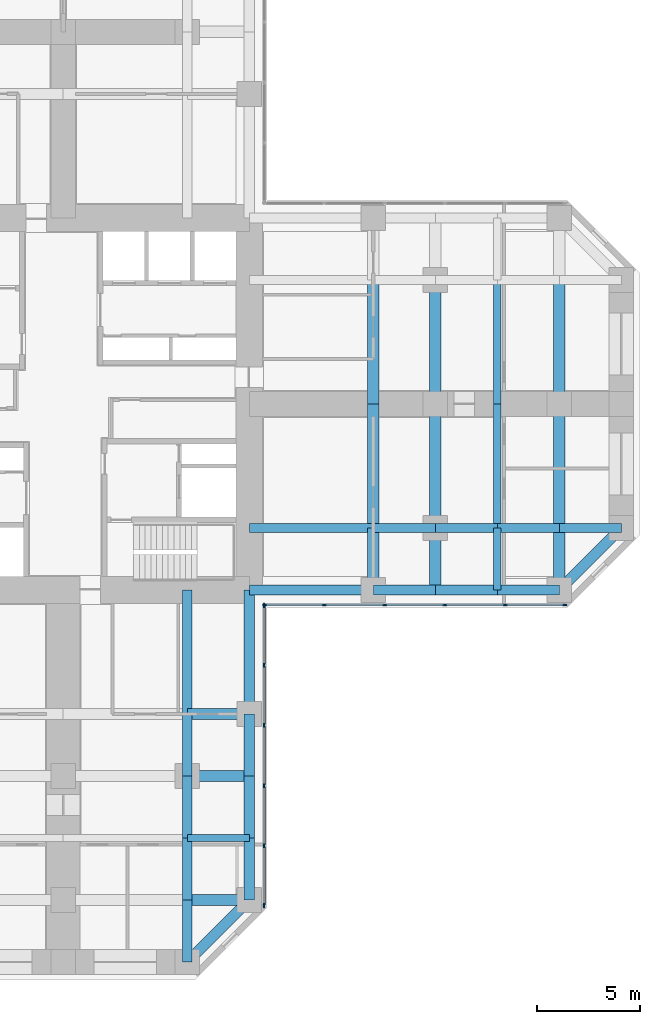
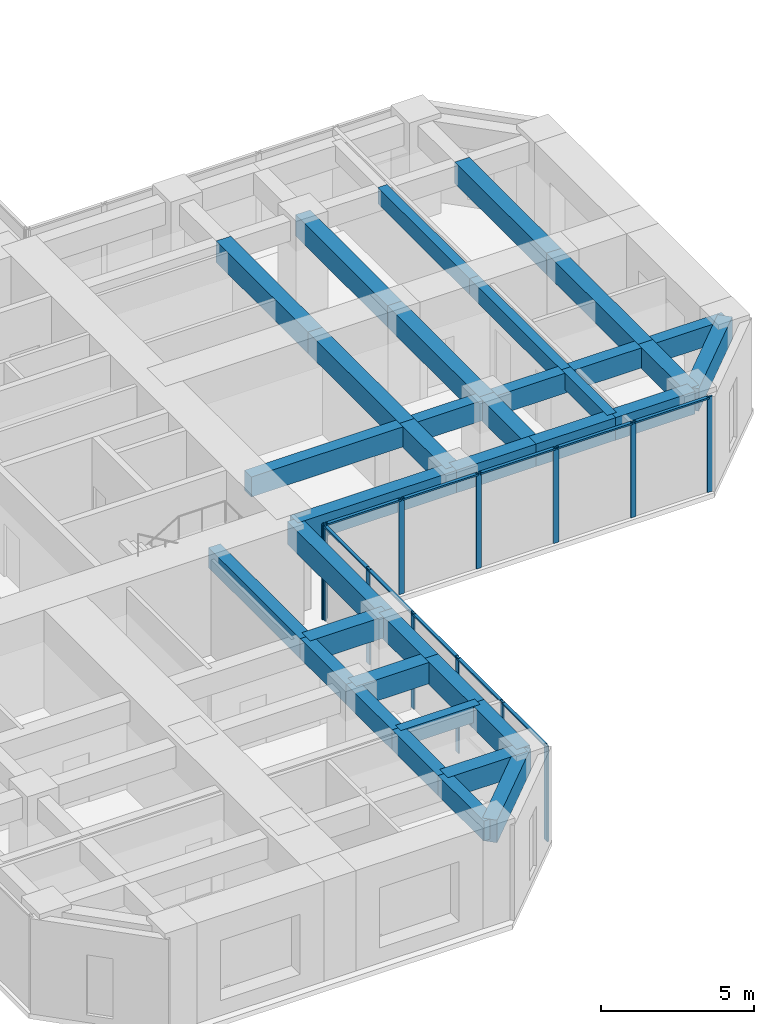
# One storey, part 4 of 13: 36 beams, 22 members, 2 elements without a shape of their own.
"""IFC4 building model written with IfcOpenShell, lengths in metres."""

from ifc_helpers import new_model, si_unit, direction, frame, origin, origin_2d, place, context, subcontext, project, spatial, rectangle, extrude, material, material_profile, profile_set, type_object, element, aggregate, save


model = new_model("IFC4")

# Units and contexts
model_context = context("Model", 3, precision=1e-05, world=origin(), true_north=direction((0.0, 1.0)))
body_context = subcontext(model_context, "Body", "Model", "MODEL_VIEW")
ifc_project = project(units=[si_unit("LENGTHUNIT", "METRE"), si_unit("AREAUNIT", "SQUARE_METRE"), si_unit("VOLUMEUNIT", "CUBIC_METRE"), si_unit("PLANEANGLEUNIT", "RADIAN"), si_unit("MASSUNIT", "GRAM", prefix="KILO")], contexts=[model_context])

# Site, building, storey
site_placement = place(None, origin())
site = spatial("IfcSite", under=ifc_project, at=site_placement, CompositionType="ELEMENT")
building_placement = place(site_placement, origin())
building = spatial("IfcBuilding", under=site, at=building_placement, Name="Torre Cruceta", CompositionType="ELEMENT")
storey_placement = place(building_placement, frame((0.0, 0.0, 47.5)))
storey = spatial("IfcBuildingStorey", under=building, at=storey_placement, Name="L11", CompositionType="ELEMENT", Elevation=47.5)

# Beams
ifc_material_1 = material(Name="Concrete G60 (fck 60 MPa)", Category="concrete")
ifc_material_profile_1 = material_profile(ifc_material_1, rectangle(XDim=0.449951171875, YDim=0.800048828125, at=origin_2d()), Name="RC 450X800")
ifc_profile_set_1 = profile_set([ifc_material_profile_1], Name="Concrete G60 (fck 60 MPa)")
beam_type_1 = type_object("IfcBeamType", Name="COLUMN LINE BEAM RC 450X800", PredefinedType="BEAM", material=ifc_profile_set_1)
beam_1_placement = place(storey_placement, frame((9.0, -6.0, 3.39990234375), z_axis=(1.0, 0.0, 0.0), x_axis=(0.0, 1.0, 0.0)))
element("IfcBeam", 1, at=beam_1_placement, inside=storey, type_object=beam_type_1, Name="LB1 L11 E col- 1", PredefinedType="BEAM", context=body_context, shape_type="SweptSolid", body=[
    extrude(rectangle(XDim=0.449951171875, YDim=0.800048828125, at=origin_2d()), origin(), (0.0, 0.0, 1.0), 6.0),
])
for number, where, z_axis, x_axis, name in (
    (2, (15.0, -6.0, 3.39990234375), (1.0, 0.0, 0.0), (0.0, 1.0, 0.0), "LB1 L11 E col- 2"),
    (3, (18.0, -6.0, 3.39990234375), (1.0, 0.0, 0.0), (0.0, 1.0, 0.0), "LB1 L11 E col- 3"),
    (4, (21.0, -6.0, 3.39990234375), (1.0, 0.0, 0.0), (0.0, 1.0, 0.0), "LB1 L11 E col- 4"),
    (5, (24.0, -6.0, 3.39990234375), (1.0, 0.0, 0.0), (0.0, 1.0, 0.0), "LB1 L11 E col- 5"),
):
    element("IfcBeam", number, at=place(storey_placement, frame(where, z_axis=z_axis, x_axis=x_axis)), inside=storey, type_object=beam_type_1, Name=name, PredefinedType="BEAM", context=body_context, shape_type="SweptSolid", body=[
        extrude(rectangle(XDim=0.449951171875, YDim=0.800048828125, at=origin_2d()), origin(), (0.0, 0.0, 1.0), 3.0),
    ])
beam_2_placement = place(storey_placement, frame((6.0, -9.0, 3.39990234375), z_axis=(0.0, -1.0, 0.0), x_axis=(1.0, 0.0, 0.0)))
element("IfcBeam", 6, at=beam_2_placement, inside=storey, type_object=beam_type_1, Name="LB1 L11 S col+ 1", PredefinedType="BEAM", context=body_context, shape_type="SweptSolid", body=[
    extrude(rectangle(XDim=0.449951171875, YDim=0.800048828125, at=origin_2d()), origin(), (0.0, 0.0, 1.0), 6.0),
])
for number, where, z_axis, x_axis, name in (
    (7, (6.0, -15.0, 3.39990234375), (0.0, -1.0, 0.0), (1.0, 0.0, 0.0), "LB1 L11 S col+ 2"),
    (8, (6.0, -18.0, 3.39990234375), (0.0, -1.0, 0.0), (1.0, 0.0, 0.0), "LB1 L11 S col+ 3"),
    (9, (6.0, -21.0, 3.39990234375), (0.0, -1.0, 0.0), (1.0, 0.0, 0.0), "LB1 L11 S col+ 4"),
    (10, (6.0, -24.0, 3.39990234375), (0.0, -1.0, 0.0), (1.0, 0.0, 0.0), "LB1 L11 S col+ 5"),
):
    element("IfcBeam", number, at=place(storey_placement, frame(where, z_axis=z_axis, x_axis=x_axis)), inside=storey, type_object=beam_type_1, Name=name, PredefinedType="BEAM", context=body_context, shape_type="SweptSolid", body=[
        extrude(rectangle(XDim=0.449951171875, YDim=0.800048828125, at=origin_2d()), origin(), (0.0, 0.0, 1.0), 3.0),
    ])
ifc_material_2 = material(Name="Concrete G60 (fck 60 MPa)", Category="concrete")
ifc_material_profile_2 = material_profile(ifc_material_2, rectangle(XDim=0.550048828125, YDim=0.85009765625, at=origin_2d()), Name="RC 550X850")
ifc_profile_set_2 = profile_set([ifc_material_profile_2], Name="Concrete G60 (fck 60 MPa)")
beam_type_2 = type_object("IfcBeamType", Name="CROSS BEAM RC 550X850", PredefinedType="BEAM", material=ifc_profile_set_2)
beam_3_placement = place(storey_placement, frame((15.0, -9.0, 3.375), z_axis=(0.0, 1.0, 0.0), x_axis=(-1.0, 0.0, 0.0)))
element("IfcBeam", 11, at=beam_3_placement, inside=storey, type_object=beam_type_2, Name="GB4 L11 E cross15 1", PredefinedType="BEAM", context=body_context, shape_type="SweptSolid", body=[
    extrude(rectangle(XDim=0.550048828125, YDim=0.85009765625, at=origin_2d()), origin(), (0.0, 0.0, 1.0), 3.0),
])
for number, where, z_axis, x_axis, name in (
    (12, (15.0, -6.0, 3.375), (0.0, 1.0, 0.0), (-1.0, 0.0, 0.0), "GB4 L11 E cross15 2"),
    (13, (15.0, 0.0, 3.375), (0.0, 1.0, 0.0), (-1.0, 0.0, 0.0), "GB4 L11 E cross15 3"),
):
    element("IfcBeam", number, at=place(storey_placement, frame(where, z_axis=z_axis, x_axis=x_axis)), inside=storey, type_object=beam_type_2, Name=name, PredefinedType="BEAM", context=body_context, shape_type="SweptSolid", body=[
        extrude(rectangle(XDim=0.550048828125, YDim=0.85009765625, at=origin_2d()), origin(), (0.0, 0.0, 1.0), 6.0),
    ])
beam_4_placement = place(storey_placement, frame((18.0, -9.0, 3.375), z_axis=(0.0, 1.0, 0.0), x_axis=(-1.0, 0.0, 0.0)))
element("IfcBeam", 14, at=beam_4_placement, inside=storey, type_object=beam_type_2, Name="GB4 L11 E cross18 1", PredefinedType="BEAM", context=body_context, shape_type="SweptSolid", body=[
    extrude(rectangle(XDim=0.550048828125, YDim=0.85009765625, at=origin_2d()), origin(), (0.0, 0.0, 1.0), 3.0),
])
for number, where, z_axis, x_axis, name in (
    (15, (18.0, -6.0, 3.375), (0.0, 1.0, 0.0), (-1.0, 0.0, 0.0), "GB4 L11 E cross18 2"),
    (16, (18.0, 0.0, 3.375), (0.0, 1.0, 0.0), (-1.0, 0.0, 0.0), "GB4 L11 E cross18 3"),
):
    element("IfcBeam", number, at=place(storey_placement, frame(where, z_axis=z_axis, x_axis=x_axis)), inside=storey, type_object=beam_type_2, Name=name, PredefinedType="BEAM", context=body_context, shape_type="SweptSolid", body=[
        extrude(rectangle(XDim=0.550048828125, YDim=0.85009765625, at=origin_2d()), origin(), (0.0, 0.0, 1.0), 6.0),
    ])
beam_5_placement = place(storey_placement, frame((24.0, -9.0, 3.375), z_axis=(0.0, 1.0, 0.0), x_axis=(-1.0, 0.0, 0.0)))
element("IfcBeam", 17, at=beam_5_placement, inside=storey, type_object=beam_type_2, Name="GB4 L11 E cross24 1", PredefinedType="BEAM", context=body_context, shape_type="SweptSolid", body=[
    extrude(rectangle(XDim=0.550048828125, YDim=0.85009765625, at=origin_2d()), origin(), (0.0, 0.0, 1.0), 3.0),
])
for number, where, z_axis, x_axis, name in (
    (18, (24.0, -6.0, 3.375), (0.0, 1.0, 0.0), (-1.0, 0.0, 0.0), "GB4 L11 E cross24 2"),
    (19, (24.0, 0.0, 3.375), (0.0, 1.0, 0.0), (-1.0, 0.0, 0.0), "GB4 L11 E cross24 3"),
):
    element("IfcBeam", number, at=place(storey_placement, frame(where, z_axis=z_axis, x_axis=x_axis)), inside=storey, type_object=beam_type_2, Name=name, PredefinedType="BEAM", context=body_context, shape_type="SweptSolid", body=[
        extrude(rectangle(XDim=0.550048828125, YDim=0.85009765625, at=origin_2d()), origin(), (0.0, 0.0, 1.0), 6.0),
    ])
for number, where, z_axis, x_axis, name in (
    (20, (6.0, -15.0, 3.375), (1.0, 0.0, 0.0), (0.0, 1.0, 0.0), "GB4 L11 S cross15 4"),
    (21, (6.0, -18.0, 3.375), (1.0, 0.0, 0.0), (0.0, 1.0, 0.0), "GB4 L11 S cross18 4"),
    (22, (6.0, -24.0, 3.375), (1.0, 0.0, 0.0), (0.0, 1.0, 0.0), "GB4 L11 S cross24 4"),
):
    element("IfcBeam", number, at=place(storey_placement, frame(where, z_axis=z_axis, x_axis=x_axis)), inside=storey, type_object=beam_type_2, Name=name, PredefinedType="BEAM", context=body_context, shape_type="SweptSolid", body=[
        extrude(rectangle(XDim=0.550048828125, YDim=0.85009765625, at=origin_2d()), origin(), (0.0, 0.0, 1.0), 3.0),
    ])

# Curtain wall, members
ifc_material_3 = material(Name="Aluminium unitised curtain wall", Category="aluminium")
curtain_wall_type = type_object("IfcCurtainWallType", Name="CURTAIN WALL CW-A OFFICE LOW RISE", PredefinedType="USERDEFINED", material=ifc_material_3)
curtain_wall_1_placement = place(storey_placement, origin())
curtain_wall_1 = element("IfcCurtainWall", 23, at=curtain_wall_1_placement, inside=storey, type_object=curtain_wall_type, Name="CW-A L11 E side 00", ObjectType="UNITISED", PredefinedType="USERDEFINED")
ifc_material_4 = material(Name="Aluminium mullion", Category="aluminium")
ifc_material_profile_3 = material_profile(ifc_material_4, rectangle(XDim=0.06494140625, YDim=0.199951171875, at=origin_2d()), Name="AL 65X200")
ifc_profile_set_3 = profile_set([ifc_material_profile_3], Name="Aluminium mullion")
member_type_1 = type_object("IfcMemberType", Name="CW-A MULLION 65X200", PredefinedType="MULLION", material=ifc_profile_set_3)
member_1_placement = place(storey_placement, frame((9.75244140625, -9.719970703125, 0.0), z_axis=(0.0, 0.0, 1.0), x_axis=(0.0, 1.0, 0.0)))
member_1 = element("IfcMember", 24, at=member_1_placement, type_object=member_type_1, Name="CW-A mullion 1", PredefinedType="MULLION", context=body_context, shape_type="SweptSolid", body=[
    extrude(rectangle(XDim=0.06494140625, YDim=0.199951171875, at=origin_2d()), origin(), (0.0, 0.0, 1.0), 3.800048828125),
])
member_2_placement = place(storey_placement, frame((12.6357421875, -9.719970703125, 0.0), z_axis=(0.0, 0.0, 1.0), x_axis=(0.0, 1.0, 0.0)))
member_2 = element("IfcMember", 25, at=member_2_placement, type_object=member_type_1, Name="CW-A mullion 2", PredefinedType="MULLION", context=body_context, shape_type="SweptSolid", body=[
    extrude(rectangle(XDim=0.06494140625, YDim=0.199951171875, at=origin_2d()), origin(), (0.0, 0.0, 1.0), 3.800048828125),
])
member_3_placement = place(storey_placement, frame((15.55126953125, -9.719970703125, 0.0), z_axis=(0.0, 0.0, 1.0), x_axis=(0.0, 1.0, 0.0)))
member_3 = element("IfcMember", 26, at=member_3_placement, type_object=member_type_1, Name="CW-A mullion 3", PredefinedType="MULLION", context=body_context, shape_type="SweptSolid", body=[
    extrude(rectangle(XDim=0.06494140625, YDim=0.199951171875, at=origin_2d()), origin(), (0.0, 0.0, 1.0), 3.800048828125),
])
member_4_placement = place(storey_placement, frame((18.467041015625, -9.719970703125, 0.0), z_axis=(0.0, 0.0, 1.0), x_axis=(0.0, 1.0, 0.0)))
member_4 = element("IfcMember", 27, at=member_4_placement, type_object=member_type_1, Name="CW-A mullion 4", PredefinedType="MULLION", context=body_context, shape_type="SweptSolid", body=[
    extrude(rectangle(XDim=0.06494140625, YDim=0.199951171875, at=origin_2d()), origin(), (0.0, 0.0, 1.0), 3.800048828125),
])
member_5_placement = place(storey_placement, frame((21.382568359375, -9.719970703125, 0.0), z_axis=(0.0, 0.0, 1.0), x_axis=(0.0, 1.0, 0.0)))
member_5 = element("IfcMember", 28, at=member_5_placement, type_object=member_type_1, Name="CW-A mullion 5", PredefinedType="MULLION", context=body_context, shape_type="SweptSolid", body=[
    extrude(rectangle(XDim=0.06494140625, YDim=0.199951171875, at=origin_2d()), origin(), (0.0, 0.0, 1.0), 3.800048828125),
])
member_6_placement = place(storey_placement, frame((24.265625, -9.719970703125, 0.0), z_axis=(0.0, 0.0, 1.0), x_axis=(0.0, 1.0, 0.0)))
member_6 = element("IfcMember", 29, at=member_6_placement, type_object=member_type_1, Name="CW-A mullion 6", PredefinedType="MULLION", context=body_context, shape_type="SweptSolid", body=[
    extrude(rectangle(XDim=0.06494140625, YDim=0.199951171875, at=origin_2d()), origin(), (0.0, 0.0, 1.0), 3.800048828125),
])

curtain_wall_2_placement = place(storey_placement, origin())
curtain_wall_2 = element("IfcCurtainWall", 30, at=curtain_wall_2_placement, inside=storey, type_object=curtain_wall_type, Name="CW-A L11 S side 19", ObjectType="UNITISED", PredefinedType="USERDEFINED")
member_7_placement = place(storey_placement, frame((9.719970703125, -24.265625, 0.0), z_axis=(0.0, 0.0, 1.0), x_axis=(-1.0, 0.0, 0.0)))
member_7 = element("IfcMember", 31, at=member_7_placement, type_object=member_type_1, Name="CW-A mullion 1", PredefinedType="MULLION", context=body_context, shape_type="SweptSolid", body=[
    extrude(rectangle(XDim=0.06494140625, YDim=0.199951171875, at=origin_2d()), origin(), (0.0, 0.0, 1.0), 3.800048828125),
])
member_8_placement = place(storey_placement, frame((9.719970703125, -21.382568359375, 0.0), z_axis=(0.0, 0.0, 1.0), x_axis=(-1.0, 0.0, 0.0)))
member_8 = element("IfcMember", 32, at=member_8_placement, type_object=member_type_1, Name="CW-A mullion 2", PredefinedType="MULLION", context=body_context, shape_type="SweptSolid", body=[
    extrude(rectangle(XDim=0.06494140625, YDim=0.199951171875, at=origin_2d()), origin(), (0.0, 0.0, 1.0), 3.800048828125),
])
member_9_placement = place(storey_placement, frame((9.719970703125, -18.467041015625, 0.0), z_axis=(0.0, 0.0, 1.0), x_axis=(-1.0, 0.0, 0.0)))
member_9 = element("IfcMember", 33, at=member_9_placement, type_object=member_type_1, Name="CW-A mullion 3", PredefinedType="MULLION", context=body_context, shape_type="SweptSolid", body=[
    extrude(rectangle(XDim=0.06494140625, YDim=0.199951171875, at=origin_2d()), origin(), (0.0, 0.0, 1.0), 3.800048828125),
])
member_10_placement = place(storey_placement, frame((9.719970703125, -15.55126953125, 0.0), z_axis=(0.0, 0.0, 1.0), x_axis=(-1.0, 0.0, 0.0)))
member_10 = element("IfcMember", 34, at=member_10_placement, type_object=member_type_1, Name="CW-A mullion 4", PredefinedType="MULLION", context=body_context, shape_type="SweptSolid", body=[
    extrude(rectangle(XDim=0.06494140625, YDim=0.199951171875, at=origin_2d()), origin(), (0.0, 0.0, 1.0), 3.800048828125),
])
member_11_placement = place(storey_placement, frame((9.719970703125, -12.6357421875, 0.0), z_axis=(0.0, 0.0, 1.0), x_axis=(-1.0, 0.0, 0.0)))
member_11 = element("IfcMember", 35, at=member_11_placement, type_object=member_type_1, Name="CW-A mullion 5", PredefinedType="MULLION", context=body_context, shape_type="SweptSolid", body=[
    extrude(rectangle(XDim=0.06494140625, YDim=0.199951171875, at=origin_2d()), origin(), (0.0, 0.0, 1.0), 3.800048828125),
])
member_12_placement = place(storey_placement, frame((9.719970703125, -9.75244140625, 0.0), z_axis=(0.0, 0.0, 1.0), x_axis=(-1.0, 0.0, 0.0)))
member_12 = element("IfcMember", 36, at=member_12_placement, type_object=member_type_1, Name="CW-A mullion 6", PredefinedType="MULLION", context=body_context, shape_type="SweptSolid", body=[
    extrude(rectangle(XDim=0.06494140625, YDim=0.199951171875, at=origin_2d()), origin(), (0.0, 0.0, 1.0), 3.800048828125),
])

# Member
ifc_material_5 = material(Name="Aluminium transom", Category="aluminium")
ifc_material_profile_4 = material_profile(ifc_material_5, rectangle(XDim=0.1201171875, YDim=0.06494140625, at=origin_2d()), Name="AL 120X65")
ifc_profile_set_4 = profile_set([ifc_material_profile_4], Name="Aluminium transom")
member_type_2 = type_object("IfcMemberType", Name="CW-A TRANSOM 65X120", PredefinedType="USERDEFINED", material=ifc_profile_set_4)
member_13_placement = place(storey_placement, frame((9.784912109375, -9.719970703125, 3.767578125), z_axis=(1.0, 0.0, 0.0), x_axis=(0.0, 1.0, 0.0)))
member_13 = element("IfcMember", 37, at=member_13_placement, type_object=member_type_2, Name="CW-A transom 1", ObjectType="TRANSOM", PredefinedType="USERDEFINED", context=body_context, shape_type="SweptSolid", body=[
    extrude(rectangle(XDim=0.1201171875, YDim=0.06494140625, at=origin_2d()), origin(), (0.0, 0.0, 1.0), 2.818115234375),
])

member_14_placement = place(storey_placement, frame((12.668212890625, -9.719970703125, 3.767578125), z_axis=(1.0, 0.0, 0.0), x_axis=(0.0, 1.0, 0.0)))
member_14 = element("IfcMember", 38, at=member_14_placement, type_object=member_type_2, Name="CW-A transom 2", ObjectType="TRANSOM", PredefinedType="USERDEFINED", context=body_context, shape_type="SweptSolid", body=[
    extrude(rectangle(XDim=0.1201171875, YDim=0.06494140625, at=origin_2d()), origin(), (0.0, 0.0, 1.0), 2.8505859375),
])

member_15_placement = place(storey_placement, frame((15.583740234375, -9.719970703125, 3.767578125), z_axis=(1.0, 0.0, 0.0), x_axis=(0.0, 1.0, 0.0)))
member_15 = element("IfcMember", 39, at=member_15_placement, type_object=member_type_2, Name="CW-A transom 3", ObjectType="TRANSOM", PredefinedType="USERDEFINED", context=body_context, shape_type="SweptSolid", body=[
    extrude(rectangle(XDim=0.1201171875, YDim=0.06494140625, at=origin_2d()), origin(), (0.0, 0.0, 1.0), 2.8505859375),
])

member_16_placement = place(storey_placement, frame((18.49951171875, -9.719970703125, 3.767578125), z_axis=(1.0, 0.0, 0.0), x_axis=(0.0, 1.0, 0.0)))
member_16 = element("IfcMember", 40, at=member_16_placement, type_object=member_type_2, Name="CW-A transom 4", ObjectType="TRANSOM", PredefinedType="USERDEFINED", context=body_context, shape_type="SweptSolid", body=[
    extrude(rectangle(XDim=0.1201171875, YDim=0.06494140625, at=origin_2d()), origin(), (0.0, 0.0, 1.0), 2.8505859375),
])

member_17_placement = place(storey_placement, frame((21.4150390625, -9.719970703125, 3.767578125), z_axis=(1.0, 0.0, 0.0), x_axis=(0.0, 1.0, 0.0)))
member_17 = element("IfcMember", 41, at=member_17_placement, type_object=member_type_2, Name="CW-A transom 5", ObjectType="TRANSOM", PredefinedType="USERDEFINED", context=body_context, shape_type="SweptSolid", body=[
    extrude(rectangle(XDim=0.1201171875, YDim=0.06494140625, at=origin_2d()), origin(), (0.0, 0.0, 1.0), 2.818115234375),
])

aggregate(curtain_wall_1, [member_1, member_2, member_3, member_4, member_5, member_6, member_13, member_14, member_15, member_16, member_17])

member_18_placement = place(storey_placement, frame((9.719970703125, -24.233154296875, 3.767578125), z_axis=(0.0, 1.0, 0.0), x_axis=(-1.0, 0.0, 0.0)))
member_18 = element("IfcMember", 42, at=member_18_placement, type_object=member_type_2, Name="CW-A transom 1", ObjectType="TRANSOM", PredefinedType="USERDEFINED", context=body_context, shape_type="SweptSolid", body=[
    extrude(rectangle(XDim=0.1201171875, YDim=0.06494140625, at=origin_2d()), origin(), (0.0, 0.0, 1.0), 2.818115234375),
])

member_19_placement = place(storey_placement, frame((9.719970703125, -21.35009765625, 3.767578125), z_axis=(0.0, 1.0, 0.0), x_axis=(-1.0, 0.0, 0.0)))
member_19 = element("IfcMember", 43, at=member_19_placement, type_object=member_type_2, Name="CW-A transom 2", ObjectType="TRANSOM", PredefinedType="USERDEFINED", context=body_context, shape_type="SweptSolid", body=[
    extrude(rectangle(XDim=0.1201171875, YDim=0.06494140625, at=origin_2d()), origin(), (0.0, 0.0, 1.0), 2.8505859375),
])

member_20_placement = place(storey_placement, frame((9.719970703125, -18.434326171875, 3.767578125), z_axis=(0.0, 1.0, 0.0), x_axis=(-1.0, 0.0, 0.0)))
member_20 = element("IfcMember", 44, at=member_20_placement, type_object=member_type_2, Name="CW-A transom 3", ObjectType="TRANSOM", PredefinedType="USERDEFINED", context=body_context, shape_type="SweptSolid", body=[
    extrude(rectangle(XDim=0.1201171875, YDim=0.06494140625, at=origin_2d()), origin(), (0.0, 0.0, 1.0), 2.8505859375),
])

member_21_placement = place(storey_placement, frame((9.719970703125, -15.518798828125, 3.767578125), z_axis=(0.0, 1.0, 0.0), x_axis=(-1.0, 0.0, 0.0)))
member_21 = element("IfcMember", 45, at=member_21_placement, type_object=member_type_2, Name="CW-A transom 4", ObjectType="TRANSOM", PredefinedType="USERDEFINED", context=body_context, shape_type="SweptSolid", body=[
    extrude(rectangle(XDim=0.1201171875, YDim=0.06494140625, at=origin_2d()), origin(), (0.0, 0.0, 1.0), 2.8505859375),
])

member_22_placement = place(storey_placement, frame((9.719970703125, -12.60302734375, 3.767578125), z_axis=(0.0, 1.0, 0.0), x_axis=(-1.0, 0.0, 0.0)))
member_22 = element("IfcMember", 46, at=member_22_placement, type_object=member_type_2, Name="CW-A transom 5", ObjectType="TRANSOM", PredefinedType="USERDEFINED", context=body_context, shape_type="SweptSolid", body=[
    extrude(rectangle(XDim=0.1201171875, YDim=0.06494140625, at=origin_2d()), origin(), (0.0, 0.0, 1.0), 2.818115234375),
])

aggregate(curtain_wall_2, [member_7, member_8, member_9, member_10, member_11, member_12, member_18, member_19, member_20, member_21, member_22])

# Beams
ifc_material_6 = material(Name="Concrete G60 (fck 60 MPa)", Category="concrete")
ifc_material_profile_5 = material_profile(ifc_material_6, rectangle(XDim=0.35009765625, YDim=0.64990234375, at=origin_2d()), Name="RC 350X650")
ifc_profile_set_5 = profile_set([ifc_material_profile_5], Name="Concrete G60 (fck 60 MPa)")
beam_type_3 = type_object("IfcBeamType", Name="SECONDARY BEAM RC 350X650", PredefinedType="JOIST", material=ifc_profile_set_5)
beam_6_placement = place(storey_placement, frame((21.0, -9.0, 3.47509765625), z_axis=(0.0, 1.0, 0.0), x_axis=(-1.0, 0.0, 0.0)))
element("IfcBeam", 47, at=beam_6_placement, inside=storey, type_object=beam_type_3, Name="JB3 L11 E sec21 1", PredefinedType="JOIST", context=body_context, shape_type="SweptSolid", body=[
    extrude(rectangle(XDim=0.35009765625, YDim=0.64990234375, at=origin_2d()), origin(), (0.0, 0.0, 1.0), 3.0),
])
for number, where, z_axis, x_axis, name in (
    (48, (21.0, -6.0, 3.47509765625), (0.0, 1.0, 0.0), (-1.0, 0.0, 0.0), "JB3 L11 E sec21 2"),
    (49, (21.0, 0.0, 3.47509765625), (0.0, 1.0, 0.0), (-1.0, 0.0, 0.0), "JB3 L11 E sec21 3"),
):
    element("IfcBeam", number, at=place(storey_placement, frame(where, z_axis=z_axis, x_axis=x_axis)), inside=storey, type_object=beam_type_3, Name=name, PredefinedType="JOIST", context=body_context, shape_type="SweptSolid", body=[
        extrude(rectangle(XDim=0.35009765625, YDim=0.64990234375, at=origin_2d()), origin(), (0.0, 0.0, 1.0), 6.0),
    ])
beam_7_placement = place(storey_placement, frame((6.0, -21.0, 3.47509765625), z_axis=(1.0, 0.0, 0.0), x_axis=(0.0, 1.0, 0.0)))
element("IfcBeam", 50, at=beam_7_placement, inside=storey, type_object=beam_type_3, Name="JB3 L11 S sec21 4", PredefinedType="JOIST", context=body_context, shape_type="SweptSolid", body=[
    extrude(rectangle(XDim=0.35009765625, YDim=0.64990234375, at=origin_2d()), origin(), (0.0, 0.0, 1.0), 3.0),
])
ifc_material_7 = material(Name="Concrete G60 (fck 60 MPa)", Category="concrete")
ifc_material_profile_6 = material_profile(ifc_material_7, rectangle(XDim=0.5, YDim=0.89990234375, at=origin_2d()), Name="RC 500X900")
ifc_profile_set_6 = profile_set([ifc_material_profile_6], Name="Concrete G60 (fck 60 MPa)")
beam_type_4 = type_object("IfcBeamType", Name="SPANDREL BEAM RC 500X900", PredefinedType="SPANDREL", material=ifc_profile_set_6)
beam_8_placement = place(storey_placement, frame((9.0, -9.0, 3.35009765625), z_axis=(1.0, 0.0, 0.0), x_axis=(0.0, 1.0, 0.0)))
element("IfcBeam", 51, at=beam_8_placement, inside=storey, type_object=beam_type_4, Name="SB4 L11 E side- 1", PredefinedType="SPANDREL", context=body_context, shape_type="SweptSolid", body=[
    extrude(rectangle(XDim=0.5, YDim=0.89990234375, at=origin_2d()), origin(), (0.0, 0.0, 1.0), 6.0),
])
for number, where, z_axis, x_axis, name in (
    (52, (15.0, -9.0, 3.35009765625), (1.0, 0.0, 0.0), (0.0, 1.0, 0.0), "SB4 L11 E side- 2"),
    (53, (18.0, -9.0, 3.35009765625), (1.0, 0.0, 0.0), (0.0, 1.0, 0.0), "SB4 L11 E side- 3"),
    (54, (21.0, -9.0, 3.35009765625), (1.0, 0.0, 0.0), (0.0, 1.0, 0.0), "SB4 L11 E side- 4"),
):
    element("IfcBeam", number, at=place(storey_placement, frame(where, z_axis=z_axis, x_axis=x_axis)), inside=storey, type_object=beam_type_4, Name=name, PredefinedType="SPANDREL", context=body_context, shape_type="SweptSolid", body=[
        extrude(rectangle(XDim=0.5, YDim=0.89990234375, at=origin_2d()), origin(), (0.0, 0.0, 1.0), 3.0),
    ])
beam_9_placement = place(storey_placement, frame((24.0, -9.0, 3.35009765625), z_axis=(0.707106781187, 0.707106781187, 0.0), x_axis=(-0.707106781187, 0.707106781187, 0.0)))
element("IfcBeam", 55, at=beam_9_placement, inside=storey, type_object=beam_type_4, Name="SB4 L11 E side- 5", PredefinedType="SPANDREL", context=body_context, shape_type="SweptSolid", body=[
    extrude(rectangle(XDim=0.5, YDim=0.89990234375, at=origin_2d()), origin(), (0.0, 0.0, 1.0), 4.24267578125),
])
beam_10_placement = place(storey_placement, frame((9.0, -9.0, 3.35009765625), z_axis=(0.0, -1.0, 0.0), x_axis=(1.0, 0.0, 0.0)))
element("IfcBeam", 56, at=beam_10_placement, inside=storey, type_object=beam_type_4, Name="SB4 L11 S side+ 1", PredefinedType="SPANDREL", context=body_context, shape_type="SweptSolid", body=[
    extrude(rectangle(XDim=0.5, YDim=0.89990234375, at=origin_2d()), origin(), (0.0, 0.0, 1.0), 6.0),
])
for number, where, z_axis, x_axis, name in (
    (57, (9.0, -15.0, 3.35009765625), (0.0, -1.0, 0.0), (1.0, 0.0, 0.0), "SB4 L11 S side+ 2"),
    (58, (9.0, -18.0, 3.35009765625), (0.0, -1.0, 0.0), (1.0, 0.0, 0.0), "SB4 L11 S side+ 3"),
    (59, (9.0, -21.0, 3.35009765625), (0.0, -1.0, 0.0), (1.0, 0.0, 0.0), "SB4 L11 S side+ 4"),
):
    element("IfcBeam", number, at=place(storey_placement, frame(where, z_axis=z_axis, x_axis=x_axis)), inside=storey, type_object=beam_type_4, Name=name, PredefinedType="SPANDREL", context=body_context, shape_type="SweptSolid", body=[
        extrude(rectangle(XDim=0.5, YDim=0.89990234375, at=origin_2d()), origin(), (0.0, 0.0, 1.0), 3.0),
    ])
beam_11_placement = place(storey_placement, frame((9.0, -24.0, 3.35009765625), z_axis=(-0.707106781187, -0.707106781187, 0.0), x_axis=(0.707106781187, -0.707106781187, 0.0)))
element("IfcBeam", 60, at=beam_11_placement, inside=storey, type_object=beam_type_4, Name="SB4 L11 S side+ 5", PredefinedType="SPANDREL", context=body_context, shape_type="SweptSolid", body=[
    extrude(rectangle(XDim=0.5, YDim=0.89990234375, at=origin_2d()), origin(), (0.0, 0.0, 1.0), 4.24267578125),
])

save(model, "model.ifc")
